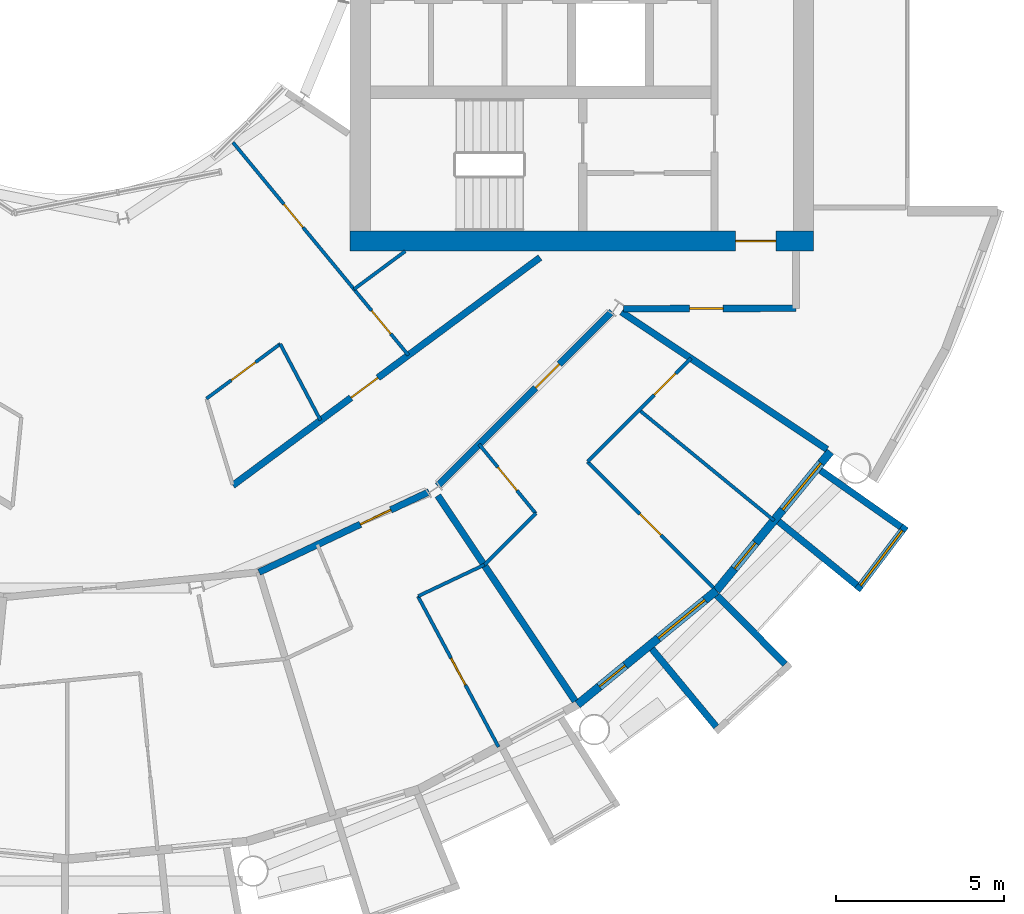
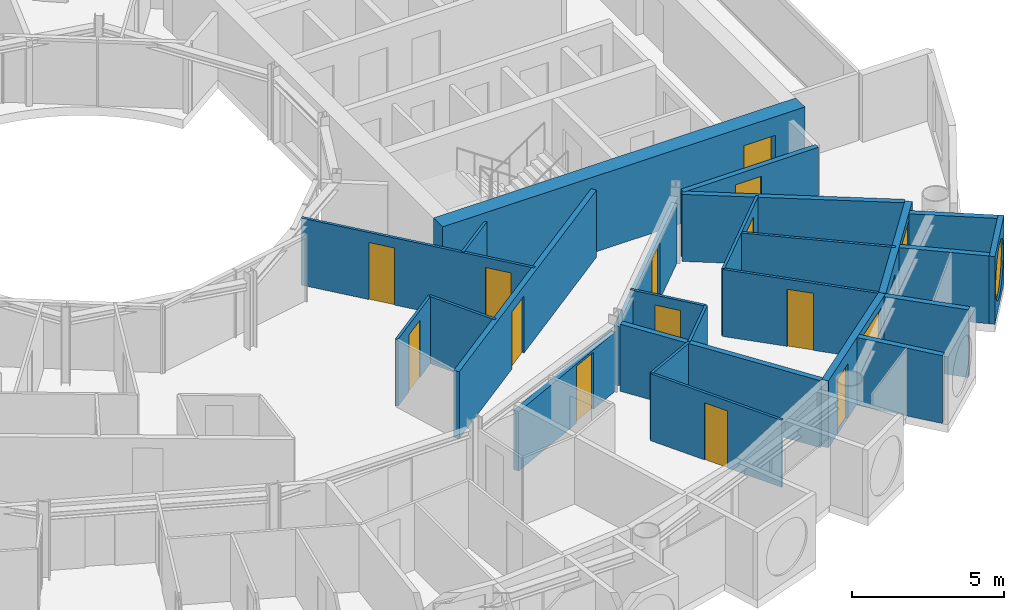
# One storey, part 17 of 27: 25 walls, 14 doors, 3 windows, 17 openings.
"""IFC4 building model written with IfcOpenShell, lengths in metres."""

from ifc_helpers import new_model, si_unit, direction, frame, frame_2d, origin, place, context, subcontext, project, spatial, rectangle, circle, extrude, material, layer, layer_set, type_object, element, fill, save


model = new_model("IFC4")

# Units and contexts
model_context = context("Model", 3, precision=1e-05, world=origin(), true_north=direction((0.0, 1.0)))
body_context = subcontext(model_context, "Body", "Model", "MODEL_VIEW")
ifc_project = project(units=[si_unit("LENGTHUNIT", "METRE"), si_unit("AREAUNIT", "SQUARE_METRE"), si_unit("VOLUMEUNIT", "CUBIC_METRE"), si_unit("PLANEANGLEUNIT", "RADIAN"), si_unit("MASSUNIT", "GRAM", prefix="KILO")], contexts=[model_context])

# Site, building, storey
site_placement = place(None, origin())
site = spatial("IfcSite", under=ifc_project, at=site_placement, CompositionType="ELEMENT")
building_placement = place(site_placement, origin())
building = spatial("IfcBuilding", under=site, at=building_placement, Name="Maasbend Ring Residences", CompositionType="ELEMENT")
storey_placement = place(building_placement, frame((0.0, 0.0, 120.800048828125)))
storey = spatial("IfcBuildingStorey", under=building, at=storey_placement, Name="L34", CompositionType="ELEMENT", Elevation=120.800048828125)

# Wall, opening, door
ifc_material_1 = material(Name="Concrete C60/75", Category="concrete")
ifc_layer_1 = layer(ifc_material_1, 0.60009765625)
ifc_layer_set_1 = layer_set([ifc_layer_1], Name="Concrete C60/75")
wall_type_1 = type_object("IfcWallType", Name="CORE WALL 600 C60/75", PredefinedType="SHEAR", material=ifc_layer_set_1)
wall_1_placement = place(storey_placement, frame((8.39990234375, -8.89990234375, 0.0), z_axis=(0.0, 0.0, 1.0), x_axis=(1.0, 0.0, 0.0)))
wall_1 = element("IfcWall", 1, at=wall_1_placement, inside=storey, type_object=wall_type_1, Name="L34 core E wall PS", PredefinedType="SHEAR", context=body_context, shape_type="SweptSolid", body=[
    extrude(rectangle(XDim=13.800048828125, YDim=0.60009765625, at=frame_2d((6.89990234375, 0.0))), origin(), (0.0, 0.0, 1.0), 3.050048828125),
])
opening_1_placement = place(wall_1_placement, frame((11.47509765625, 0.0, 0.0)))
opening_1 = element("IfcOpeningElement", 2, at=opening_1_placement, cuts=wall_1, Name="Opening D-E3416", PredefinedType="OPENING", context=body_context, shape_type="SweptSolid", body=[
    extrude(rectangle(XDim=1.199951171875, YDim=2.300048828125, at=frame_2d((0.60009765625, 1.14990234375))), frame((0.0, 0.31005859375, 0.0), z_axis=(0.0, -1.0, 0.0), x_axis=(1.0, 0.0, 0.0)), (0.0, 0.0, 1.0), 0.6201171875),
])
ifc_material_2 = material(Name="Steel, powder coated", Category="steel")
door_type_1 = type_object("IfcDoorType", Name="CORRIDOR DOOR 1200 X 2300 FD30S", OperationType="NOTDEFINED", PredefinedType="DOOR", material=ifc_material_2)
door_1_placement = place(opening_1_placement, origin())
door_1 = element("IfcDoor", 3, at=door_1_placement, inside=storey, type_object=door_type_1, Name="Corridor door L34", OperationType="SINGLE_SWING_LEFT", OverallHeight=2.300048828125, OverallWidth=1.199951171875, PredefinedType="DOOR", context=body_context, shape_type="SweptSolid", body=[
    extrude(rectangle(XDim=1.199951171875, YDim=2.300048828125, at=frame_2d((0.60009765625, 1.14990234375))), frame((0.0, 0.02490234375, 0.0), z_axis=(0.0, -1.0, 0.0), x_axis=(1.0, 0.0, 0.0)), (0.0, 0.0, 1.0), 0.050048828125),
])
fill(opening_1, door_1)

ifc_material_3 = material(Name="Concrete C30/37", Category="concrete")
ifc_layer_2 = layer(ifc_material_3, 0.199951171875)
ifc_layer_set_2 = layer_set([ifc_layer_2], Name="Concrete C30/37")
wall_type_2 = type_object("IfcWallType", Name="CORRIDOR WALL 200 CONCRETE", PredefinedType="PARTITIONING", material=ifc_layer_set_2)
wall_2_placement = place(storey_placement, frame((5.68603515625, -18.758056640625, 0.0), z_axis=(0.0, 0.0, 1.0), x_axis=(0.903961383505, 0.427614098379, 0.0)))
wall_2 = element("IfcWall", 4, at=wall_2_placement, inside=storey, type_object=wall_type_2, Name="U-L34-w014", PredefinedType="PARTITIONING", context=body_context, shape_type="SweptSolid", body=[
    extrude(rectangle(XDim=5.600830078125, YDim=0.199951171875, at=frame_2d((2.80029296875, 0.0))), origin(), (0.0, 0.0, 1.0), 2.389892578125),
])
opening_2_placement = place(wall_2_placement, frame((3.339111328125, 0.0, 0.0)))
opening_2 = element("IfcOpeningElement", 5, at=opening_2_placement, cuts=wall_2, Name="Opening D-3446", PredefinedType="OPENING", context=body_context, shape_type="SweptSolid", body=[
    extrude(rectangle(XDim=1.0, YDim=2.300048828125, at=frame_2d((0.5, 1.14990234375))), frame((0.0, 0.10986328125, 0.0), z_axis=(0.0, -1.0, 0.0), x_axis=(1.0, 0.0, 0.0)), (0.0, 0.0, 1.0), 0.219970703125),
])
ifc_material_4 = material(Name="Timber, fire-rated, painted", Category="wood")
door_type_2 = type_object("IfcDoorType", Name="FLAT ENTRANCE DOOR 1000 X 2300 FIRE-RATED", OperationType="NOTDEFINED", PredefinedType="DOOR", material=ifc_material_4)
door_2_placement = place(opening_2_placement, origin())
door_2 = element("IfcDoor", 6, at=door_2_placement, inside=storey, type_object=door_type_2, Name="D-3446", OperationType="SINGLE_SWING_RIGHT", OverallHeight=2.300048828125, OverallWidth=1.0, PredefinedType="DOOR", context=body_context, shape_type="SweptSolid", body=[
    extrude(rectangle(XDim=1.0, YDim=2.300048828125, at=frame_2d((0.5, 1.14990234375))), frame((0.0, 0.02490234375, 0.0), z_axis=(0.0, -1.0, 0.0), x_axis=(1.0, 0.0, 0.0)), (0.0, 0.0, 1.0), 0.050048828125),
])
fill(opening_2, door_2)

wall_3_placement = place(storey_placement, frame((11.0, -16.18603515625, 0.0), z_axis=(0.0, 0.0, 1.0), x_axis=(0.707106781187, 0.707106781187, 0.0)))
wall_3 = element("IfcWall", 7, at=wall_3_placement, inside=storey, type_object=wall_type_2, Name="U-L34-w016", PredefinedType="PARTITIONING", context=body_context, shape_type="SweptSolid", body=[
    extrude(rectangle(XDim=7.334228515625, YDim=0.199951171875, at=frame_2d((3.6669921875, 0.0))), origin(), (0.0, 0.0, 1.0), 2.389892578125),
])
opening_3_placement = place(wall_3_placement, frame((4.123046875, 0.0, 0.0)))
opening_3 = element("IfcOpeningElement", 8, at=opening_3_placement, cuts=wall_3, Name="Opening D-3449", PredefinedType="OPENING", context=body_context, shape_type="SweptSolid", body=[
    extrude(rectangle(XDim=1.0, YDim=2.300048828125, at=frame_2d((0.5, 1.14990234375))), frame((0.0, 0.10986328125, 0.0), z_axis=(0.0, -1.0, 0.0), x_axis=(1.0, 0.0, 0.0)), (0.0, 0.0, 1.0), 0.219970703125),
])
door_3_placement = place(opening_3_placement, origin())
door_3 = element("IfcDoor", 9, at=door_3_placement, inside=storey, type_object=door_type_2, Name="D-3449", OperationType="SINGLE_SWING_RIGHT", OverallHeight=2.300048828125, OverallWidth=1.0, PredefinedType="DOOR", context=body_context, shape_type="SweptSolid", body=[
    extrude(rectangle(XDim=1.0, YDim=2.300048828125, at=frame_2d((0.5, 1.14990234375))), frame((0.0, 0.02490234375, 0.0), z_axis=(0.0, -1.0, 0.0), x_axis=(1.0, 0.0, 0.0)), (0.0, 0.0, 1.0), 0.050048828125),
])
fill(opening_3, door_3)

wall_4_placement = place(storey_placement, frame((4.906005859375, -16.172119140625, 0.0), z_axis=(0.0, 0.0, 1.0), x_axis=(0.803204584823, 0.59570327758, 0.0)))
wall_4 = element("IfcWall", 10, at=wall_4_placement, inside=storey, type_object=wall_type_2, Name="U-L34-w018", PredefinedType="PARTITIONING", context=body_context, shape_type="SweptSolid", body=[
    extrude(rectangle(XDim=11.386962890625, YDim=0.199951171875, at=frame_2d((5.693359375, 0.0))), origin(), (0.0, 0.0, 1.0), 2.699951171875),
])
opening_4_placement = place(wall_4_placement, frame((4.3798828125, 0.0, 0.0)))
opening_4 = element("IfcOpeningElement", 11, at=opening_4_placement, cuts=wall_4, Name="Opening D-3458", PredefinedType="OPENING", context=body_context, shape_type="SweptSolid", body=[
    extrude(rectangle(XDim=1.0, YDim=2.300048828125, at=frame_2d((0.5, 1.14990234375))), frame((0.0, 0.10986328125, 0.0), z_axis=(0.0, -1.0, 0.0), x_axis=(1.0, 0.0, 0.0)), (0.0, 0.0, 1.0), 0.219970703125),
])
door_4_placement = place(opening_4_placement, origin())
door_4 = element("IfcDoor", 12, at=door_4_placement, inside=storey, type_object=door_type_2, Name="D-3458", OperationType="SINGLE_SWING_LEFT", OverallHeight=2.300048828125, OverallWidth=1.0, PredefinedType="DOOR", context=body_context, shape_type="SweptSolid", body=[
    extrude(rectangle(XDim=1.0, YDim=2.300048828125, at=frame_2d((0.5, 1.14990234375))), frame((0.0, 0.02490234375, 0.0), z_axis=(0.0, -1.0, 0.0), x_axis=(1.0, 0.0, 0.0)), (0.0, 0.0, 1.0), 0.050048828125),
])
fill(opening_4, door_4)

wall_5_placement = place(storey_placement, frame((16.541015625, -10.912109375, 0.0), z_axis=(0.0, 0.0, 1.0), x_axis=(0.999997173357, 0.002377662213, 0.0)))
wall_5 = element("IfcWall", 13, at=wall_5_placement, inside=storey, type_object=wall_type_2, Name="U-L34-w025", PredefinedType="PARTITIONING", context=body_context, shape_type="SweptSolid", body=[
    extrude(rectangle(XDim=5.134033203125, YDim=0.199951171875, at=frame_2d((2.56689453125, 0.0))), origin(), (0.0, 0.0, 1.0), 2.699951171875),
])
opening_5_placement = place(wall_5_placement, frame((1.962890625, 0.0, 0.0)))
opening_5 = element("IfcOpeningElement", 14, at=opening_5_placement, cuts=wall_5, Name="Opening D-3464", PredefinedType="OPENING", context=body_context, shape_type="SweptSolid", body=[
    extrude(rectangle(XDim=1.0, YDim=2.300048828125, at=frame_2d((0.5, 1.14990234375))), frame((0.0, 0.10986328125, 0.0), z_axis=(0.0, -1.0, 0.0), x_axis=(1.0, 0.0, 0.0)), (0.0, 0.0, 1.0), 0.219970703125),
])
ifc_material_5 = material(Name="Timber, painted", Category="wood")
door_type_3 = type_object("IfcDoorType", Name="ROOM DOOR 1000 X 2300", OperationType="NOTDEFINED", PredefinedType="DOOR", material=ifc_material_5)
door_5_placement = place(opening_5_placement, origin())
door_5 = element("IfcDoor", 15, at=door_5_placement, inside=storey, type_object=door_type_3, Name="D-3464", OperationType="SINGLE_SWING_LEFT", OverallHeight=2.300048828125, OverallWidth=1.0, PredefinedType="DOOR", context=body_context, shape_type="SweptSolid", body=[
    extrude(rectangle(XDim=1.0, YDim=2.300048828125, at=frame_2d((0.5, 1.14990234375))), frame((0.0, 0.02490234375, 0.0), z_axis=(0.0, -1.0, 0.0), x_axis=(1.0, 0.0, 0.0)), (0.0, 0.0, 1.0), 0.050048828125),
])
fill(opening_5, door_5)

# Walls
ifc_material_6 = material(Name="Pale anodised aluminium panel", Category="aluminium")
ifc_layer_3 = layer(ifc_material_6, 0.199951171875)
ifc_layer_set_3 = layer_set([ifc_layer_3], Name="EW-BOX")
wall_type_3 = type_object("IfcWallType", Name="EW-BOX", PredefinedType="SOLIDWALL", material=ifc_layer_set_3)
wall_6_placement = place(storey_placement, frame((17.384033203125, -21.041015625, -0.030029296875), z_axis=(0.0, 0.0, 1.0), x_axis=(0.63709551667, -0.770784861449, 0.0)))
element("IfcWall", 16, at=wall_6_placement, inside=storey, type_object=wall_type_3, Name="Box side wall S18 left", PredefinedType="SOLIDWALL", context=body_context, shape_type="SweptSolid", body=[
    extrude(rectangle(XDim=3.005859375, YDim=0.199951171875, at=frame_2d((1.5029296875, 0.0))), origin(), (0.0, 0.0, 1.0), 2.72998046875),
])
wall_7_placement = place(storey_placement, frame((19.322998046875, -19.449951171875, -0.030029296875), z_axis=(0.0, 0.0, 1.0), x_axis=(0.704476739375, -0.709727076896, 0.0)))
element("IfcWall", 17, at=wall_7_placement, inside=storey, type_object=wall_type_3, Name="Box side wall S18 right", PredefinedType="SOLIDWALL", context=body_context, shape_type="SweptSolid", body=[
    extrude(rectangle(XDim=2.883056640625, YDim=0.199951171875, at=frame_2d((1.44140625, 0.0))), origin(), (0.0, 0.0, 1.0), 2.72998046875),
])

# Wall, opening, window
wall_8_placement = place(storey_placement, frame((23.4970703125, -19.2890625, -0.030029296875), z_axis=(0.0, 0.0, 1.0), x_axis=(0.603375996329, 0.797456837111, 0.0)))
wall_8 = element("IfcWall", 18, at=wall_8_placement, inside=storey, type_object=wall_type_3, Name="Box front S20", PredefinedType="SOLIDWALL", context=body_context, shape_type="SweptSolid", body=[
    extrude(rectangle(XDim=2.391357421875, YDim=0.199951171875, at=frame_2d((1.19580078125, 0.0))), origin(), (0.0, 0.0, 1.0), 2.72998046875),
])
opening_6_placement = place(wall_8_placement, frame((0.15576171875, 0.0, 0.330078125)))
opening_6 = element("IfcOpeningElement", 19, at=opening_6_placement, cuts=wall_8, Name="Opening W-RD", PredefinedType="OPENING", context=body_context, shape_type="SweptSolid", body=[
    extrude(circle(Radius=1.0400390625, at=frame_2d((1.0400390625, 1.0400390625))), frame((0.0, 0.10986328125, 0.0), z_axis=(0.0, -1.0, 0.0), x_axis=(1.0, 0.0, 0.0)), (0.0, 0.0, 1.0), 0.219970703125),
])
ifc_material_7 = material(Name="Aluminium and clear glass", Category="aluminium")
window_type_1 = type_object("IfcWindowType", Name="W-RD", PartitioningType="SINGLE_PANEL", PredefinedType="WINDOW", material=ifc_material_7)
window_1_placement = place(opening_6_placement, origin())
window_1 = element("IfcWindow", 20, at=window_1_placement, inside=storey, type_object=window_type_1, Name="Round window S20", OverallHeight=2.080078125, OverallWidth=2.080078125, PartitioningType="SINGLE_PANEL", PredefinedType="WINDOW", context=body_context, shape_type="SweptSolid", body=[
    extrude(circle(Radius=1.0400390625, at=frame_2d((1.0400390625, 1.0400390625))), frame((0.0, 0.030029296875, 0.0), z_axis=(0.0, -1.0, 0.0), x_axis=(1.0, 0.0, 0.0)), (0.0, 0.0, 1.0), 0.06005859375),
])
fill(opening_6, window_1)

# Walls
wall_9_placement = place(storey_placement, frame((21.155029296875, -17.24609375, -0.030029296875), z_axis=(0.0, 0.0, 1.0), x_axis=(0.775179004516, -0.631741648902, 0.0)))
element("IfcWall", 21, at=wall_9_placement, inside=storey, type_object=wall_type_3, Name="Box side wall S20 left", PredefinedType="SOLIDWALL", context=body_context, shape_type="SweptSolid", body=[
    extrude(rectangle(XDim=3.005859375, YDim=0.199951171875, at=frame_2d((1.5029296875, 0.0))), origin(), (0.0, 0.0, 1.0), 2.72998046875),
])
wall_10_placement = place(storey_placement, frame((22.402099609375, -15.72607421875, -0.030029296875), z_axis=(0.0, 0.0, 1.0), x_axis=(0.818275399393, -0.574826383135, 0.0)))
element("IfcWall", 22, at=wall_10_placement, inside=storey, type_object=wall_type_3, Name="Box side wall S20 right", PredefinedType="SOLIDWALL", context=body_context, shape_type="SweptSolid", body=[
    extrude(rectangle(XDim=2.92919921875, YDim=0.199951171875, at=frame_2d((1.464599609375, 0.0))), origin(), (0.0, 0.0, 1.0), 2.72998046875),
])

# Wall, openings, door, window
ifc_material_8 = material(Name="Aluminium clad insulated panel", Category="aluminium")
ifc_layer_4 = layer(ifc_material_8, 0.25)
ifc_layer_set_4 = layer_set([ifc_layer_4], Name="EW-GL")
wall_type_4 = type_object("IfcWallType", Name="EW-GL", PredefinedType="SOLIDWALL", material=ifc_layer_set_4)
wall_11_placement = place(storey_placement, frame((15.1669921875, -22.698974609375, 0.0), z_axis=(0.0, 0.0, 1.0), x_axis=(0.773019449054, 0.634382322723, 0.0)))
wall_11 = element("IfcWall", 23, at=wall_11_placement, inside=storey, type_object=wall_type_4, Name="External wall S09", PredefinedType="SOLIDWALL", context=body_context, shape_type="SweptSolid", body=[
    extrude(rectangle(XDim=5.351806640625, YDim=0.25, at=frame_2d((2.67578125, 0.0))), origin(), (0.0, 0.0, 1.0), 2.699951171875),
])
opening_7_placement = place(wall_11_placement, frame((0.841064453125, 0.0, 0.0)))
opening_7 = element("IfcOpeningElement", 24, at=opening_7_placement, cuts=wall_11, Name="Opening D-LG", PredefinedType="OPENING", context=body_context, shape_type="SweptSolid", body=[
    extrude(rectangle(XDim=1.0, YDim=2.199951171875, at=frame_2d((0.5, 1.10009765625))), frame((0.0, 0.135009765625, 0.0), z_axis=(0.0, -1.0, 0.0), x_axis=(1.0, 0.0, 0.0)), (0.0, 0.0, 1.0), 0.27001953125),
])
opening_8_placement = place(wall_11_placement, frame((3.110595703125, 0.0, 0.300048828125)))
opening_8 = element("IfcOpeningElement", 25, at=opening_8_placement, cuts=wall_11, Name="Opening W-BX", PredefinedType="OPENING", context=body_context, shape_type="SweptSolid", body=[
    extrude(rectangle(XDim=1.800048828125, YDim=2.10009765625, at=frame_2d((0.89990234375, 1.050048828125))), frame((0.0, 0.135009765625, 0.0), z_axis=(0.0, -1.0, 0.0), x_axis=(1.0, 0.0, 0.0)), (0.0, 0.0, 1.0), 0.27001953125),
])
ifc_material_9 = material(Name="Aluminium and clear glass", Category="aluminium")
door_type_4 = type_object("IfcDoorType", Name="D-LG", OperationType="SINGLE_SWING_LEFT", PredefinedType="DOOR", material=ifc_material_9)
door_6_placement = place(opening_7_placement, origin())
door_6 = element("IfcDoor", 26, at=door_6_placement, inside=storey, type_object=door_type_4, Name="Loggia door S17", OperationType="SINGLE_SWING_LEFT", OverallHeight=2.199951171875, OverallWidth=1.0, PredefinedType="DOOR", context=body_context, shape_type="SweptSolid", body=[
    extrude(rectangle(XDim=1.0, YDim=2.199951171875, at=frame_2d((0.5, 1.10009765625))), frame((0.0, 0.02490234375, 0.0), z_axis=(0.0, -1.0, 0.0), x_axis=(1.0, 0.0, 0.0)), (0.0, 0.0, 1.0), 0.050048828125),
])
fill(opening_7, door_6)
ifc_material_10 = material(Name="Aluminium and clear glass", Category="aluminium")
window_type_2 = type_object("IfcWindowType", Name="W-BX", PartitioningType="DOUBLE_PANEL_VERTICAL", PredefinedType="WINDOW", material=ifc_material_10)
window_2_placement = place(opening_8_placement, origin())
window_2 = element("IfcWindow", 27, at=window_2_placement, inside=storey, type_object=window_type_2, Name="Window S18 room to box", OverallHeight=2.10009765625, OverallWidth=1.800048828125, PartitioningType="SINGLE_PANEL", PredefinedType="WINDOW", context=body_context, shape_type="SweptSolid", body=[
    extrude(rectangle(XDim=1.800048828125, YDim=2.10009765625, at=frame_2d((0.89990234375, 1.050048828125))), frame((0.0, 0.030029296875, 0.0), z_axis=(0.0, -1.0, 0.0), x_axis=(1.0, 0.0, 0.0)), (0.0, 0.0, 1.0), 0.06005859375),
])
fill(opening_8, window_2)

wall_12_placement = place(storey_placement, frame((19.303955078125, -19.303955078125, 0.0), z_axis=(0.0, 0.0, 1.0), x_axis=(0.634382322723, 0.773019449054, 0.0)))
wall_12 = element("IfcWall", 28, at=wall_12_placement, inside=storey, type_object=wall_type_4, Name="External wall S10", PredefinedType="SOLIDWALL", context=body_context, shape_type="SweptSolid", body=[
    extrude(rectangle(XDim=5.351806640625, YDim=0.25, at=frame_2d((2.67578125, 0.0))), origin(), (0.0, 0.0, 1.0), 2.699951171875),
])
opening_9_placement = place(wall_12_placement, frame((0.841064453125, 0.0, 0.0)))
opening_9 = element("IfcOpeningElement", 29, at=opening_9_placement, cuts=wall_12, Name="Opening D-LG", PredefinedType="OPENING", context=body_context, shape_type="SweptSolid", body=[
    extrude(rectangle(XDim=1.0, YDim=2.199951171875, at=frame_2d((0.5, 1.10009765625))), frame((0.0, 0.135009765625, 0.0), z_axis=(0.0, -1.0, 0.0), x_axis=(1.0, 0.0, 0.0)), (0.0, 0.0, 1.0), 0.27001953125),
])
opening_10_placement = place(wall_12_placement, frame((3.110595703125, 0.0, 0.300048828125)))
opening_10 = element("IfcOpeningElement", 30, at=opening_10_placement, cuts=wall_12, Name="Opening W-BX", PredefinedType="OPENING", context=body_context, shape_type="SweptSolid", body=[
    extrude(rectangle(XDim=1.800048828125, YDim=2.10009765625, at=frame_2d((0.89990234375, 1.050048828125))), frame((0.0, 0.135009765625, 0.0), z_axis=(0.0, -1.0, 0.0), x_axis=(1.0, 0.0, 0.0)), (0.0, 0.0, 1.0), 0.27001953125),
])
door_7_placement = place(opening_9_placement, origin())
door_7 = element("IfcDoor", 31, at=door_7_placement, inside=storey, type_object=door_type_4, Name="Loggia door S19", OperationType="SINGLE_SWING_LEFT", OverallHeight=2.199951171875, OverallWidth=1.0, PredefinedType="DOOR", context=body_context, shape_type="SweptSolid", body=[
    extrude(rectangle(XDim=1.0, YDim=2.199951171875, at=frame_2d((0.5, 1.10009765625))), frame((0.0, 0.02490234375, 0.0), z_axis=(0.0, -1.0, 0.0), x_axis=(1.0, 0.0, 0.0)), (0.0, 0.0, 1.0), 0.050048828125),
])
fill(opening_9, door_7)
window_3_placement = place(opening_10_placement, origin())
window_3 = element("IfcWindow", 32, at=window_3_placement, inside=storey, type_object=window_type_2, Name="Window S20 room to box", OverallHeight=2.10009765625, OverallWidth=1.800048828125, PartitioningType="SINGLE_PANEL", PredefinedType="WINDOW", context=body_context, shape_type="SweptSolid", body=[
    extrude(rectangle(XDim=1.800048828125, YDim=2.10009765625, at=frame_2d((0.89990234375, 1.050048828125))), frame((0.0, 0.030029296875, 0.0), z_axis=(0.0, -1.0, 0.0), x_axis=(1.0, 0.0, 0.0)), (0.0, 0.0, 1.0), 0.06005859375),
])
fill(opening_10, window_3)

# Walls
ifc_material_11 = material(Name="Gypsum board on steel studs", Category="steel")
ifc_layer_5 = layer(ifc_material_11, 0.10009765625)
ifc_layer_set_5 = layer_set([ifc_layer_5], Name="PARTITION 100 GYPSUM")
wall_type_5 = type_object("IfcWallType", Name="PARTITION 100 GYPSUM", PredefinedType="PARTITIONING", material=ifc_layer_set_5)
wall_13_placement = place(storey_placement, frame((10.425048828125, -19.469970703125, 0.0), z_axis=(0.0, 0.0, 1.0), x_axis=(0.903951937529, 0.427634066274, 0.0)))
element("IfcWall", 33, at=wall_13_placement, inside=storey, type_object=wall_type_5, Name="U-L34-w004", PredefinedType="PARTITIONING", context=body_context, shape_type="SweptSolid", body=[
    extrude(rectangle(XDim=2.181396484375, YDim=0.10009765625, at=frame_2d((1.0908203125, 0.0))), origin(), (0.0, 0.0, 1.0), 2.699951171875),
])
wall_14_placement = place(storey_placement, frame((12.388916015625, -18.5419921875, 0.0), z_axis=(0.0, 0.0, 1.0), x_axis=(0.707106781187, 0.707106781187, 0.0)))
element("IfcWall", 34, at=wall_14_placement, inside=storey, type_object=wall_type_5, Name="U-L34-w007", PredefinedType="PARTITIONING", context=body_context, shape_type="SweptSolid", body=[
    extrude(rectangle(XDim=2.17529296875, YDim=0.10009765625, at=frame_2d((1.087646484375, 0.0))), origin(), (0.0, 0.0, 1.0), 2.699951171875),
])

# Wall, opening, door
wall_15_placement = place(storey_placement, frame((15.468017578125, -15.462890625, 0.0), z_axis=(0.0, 0.0, 1.0), x_axis=(0.707106781187, 0.707106781187, 0.0)))
wall_15 = element("IfcWall", 35, at=wall_15_placement, inside=storey, type_object=wall_type_5, Name="U-L34-w008", PredefinedType="PARTITIONING", context=body_context, shape_type="SweptSolid", body=[
    extrude(rectangle(XDim=4.351318359375, YDim=0.10009765625, at=frame_2d((2.17578125, 0.0))), origin(), (0.0, 0.0, 1.0), 2.699951171875),
])
opening_11_placement = place(wall_15_placement, frame((2.80810546875, 0.0, 0.0)))
opening_11 = element("IfcOpeningElement", 36, at=opening_11_placement, cuts=wall_15, Name="Opening D-3452", PredefinedType="OPENING", context=body_context, shape_type="SweptSolid", body=[
    extrude(rectangle(XDim=0.89990234375, YDim=2.300048828125, at=frame_2d((0.449951171875, 1.14990234375))), frame((0.0, 0.06005859375, 0.0), z_axis=(0.0, -1.0, 0.0), x_axis=(1.0, 0.0, 0.0)), (0.0, 0.0, 1.0), 0.1201171875),
])
ifc_material_12 = material(Name="Timber, painted", Category="wood")
door_type_5 = type_object("IfcDoorType", Name="INTERNAL DOOR 900 X 2300", OperationType="NOTDEFINED", PredefinedType="DOOR", material=ifc_material_12)
door_8_placement = place(opening_11_placement, origin())
door_8 = element("IfcDoor", 37, at=door_8_placement, inside=storey, type_object=door_type_5, Name="D-3452", OperationType="SINGLE_SWING_RIGHT", OverallHeight=2.300048828125, OverallWidth=0.89990234375, PredefinedType="DOOR", context=body_context, shape_type="SweptSolid", body=[
    extrude(rectangle(XDim=0.89990234375, YDim=2.300048828125, at=frame_2d((0.449951171875, 1.14990234375))), frame((0.0, 0.02490234375, 0.0), z_axis=(0.0, -1.0, 0.0), x_axis=(1.0, 0.0, 0.0)), (0.0, 0.0, 1.0), 0.050048828125),
])
fill(opening_11, door_8)

wall_16_placement = place(storey_placement, frame((4.1220703125, -13.589111328125, 0.0), z_axis=(0.0, 0.0, 1.0), x_axis=(0.803128348509, 0.595806055542, 0.0)))
wall_16 = element("IfcWall", 38, at=wall_16_placement, inside=storey, type_object=wall_type_5, Name="U-L34-w020", PredefinedType="PARTITIONING", context=body_context, shape_type="SweptSolid", body=[
    extrude(rectangle(XDim=2.734375, YDim=0.10009765625, at=frame_2d((1.3671875, 0.0))), origin(), (0.0, 0.0, 1.0), 2.699951171875),
])
opening_12_placement = place(wall_16_placement, frame((0.9169921875, 0.0, 0.0)))
opening_12 = element("IfcOpeningElement", 39, at=opening_12_placement, cuts=wall_16, Name="Opening D-3459", PredefinedType="OPENING", context=body_context, shape_type="SweptSolid", body=[
    extrude(rectangle(XDim=0.89990234375, YDim=2.300048828125, at=frame_2d((0.449951171875, 1.14990234375))), frame((0.0, 0.06005859375, 0.0), z_axis=(0.0, -1.0, 0.0), x_axis=(1.0, 0.0, 0.0)), (0.0, 0.0, 1.0), 0.1201171875),
])
door_9_placement = place(opening_12_placement, origin())
door_9 = element("IfcDoor", 40, at=door_9_placement, inside=storey, type_object=door_type_5, Name="D-3459", OperationType="SINGLE_SWING_RIGHT", OverallHeight=2.300048828125, OverallWidth=0.89990234375, PredefinedType="DOOR", context=body_context, shape_type="SweptSolid", body=[
    extrude(rectangle(XDim=0.89990234375, YDim=2.300048828125, at=frame_2d((0.449951171875, 1.14990234375))), frame((0.0, 0.02490234375, 0.0), z_axis=(0.0, -1.0, 0.0), x_axis=(1.0, 0.0, 0.0)), (0.0, 0.0, 1.0), 0.050048828125),
])
fill(opening_12, door_9)

# Wall
wall_17_placement = place(storey_placement, frame((8.512939453125, -10.33203125, 0.0), z_axis=(0.0, 0.0, 1.0), x_axis=(0.803149591038, 0.595777420196, 0.0)))
element("IfcWall", 41, at=wall_17_placement, inside=storey, type_object=wall_type_5, Name="U-L34-w021", PredefinedType="PARTITIONING", context=body_context, shape_type="SweptSolid", body=[
    extrude(rectangle(XDim=1.900146484375, YDim=0.10009765625, at=frame_2d((0.9501953125, 0.0))), origin(), (0.0, 0.0, 1.0), 2.699951171875),
])

# Wall, openings, doors
wall_18_placement = place(storey_placement, frame((4.907958984375, -5.958984375, 0.0), z_axis=(0.0, 0.0, 1.0), x_axis=(0.636105207978, -0.771602335652, 0.0)))
wall_18 = element("IfcWall", 42, at=wall_18_placement, inside=storey, type_object=wall_type_5, Name="U-L34-w064", PredefinedType="PARTITIONING", context=body_context, shape_type="SweptSolid", body=[
    extrude(rectangle(XDim=8.212646484375, YDim=0.10009765625, at=frame_2d((4.1064453125, 0.0))), origin(), (0.0, 0.0, 1.0), 2.699951171875),
])
opening_13_placement = place(wall_18_placement, frame((6.489990234375, 0.0, 0.0)))
opening_13 = element("IfcOpeningElement", 43, at=opening_13_placement, cuts=wall_18, Name="Opening D-3460", PredefinedType="OPENING", context=body_context, shape_type="SweptSolid", body=[
    extrude(rectangle(XDim=0.89990234375, YDim=2.300048828125, at=frame_2d((0.449951171875, 1.14990234375))), frame((0.0, 0.06005859375, 0.0), z_axis=(0.0, -1.0, 0.0), x_axis=(1.0, 0.0, 0.0)), (0.0, 0.0, 1.0), 0.1201171875),
])
opening_14_placement = place(wall_18_placement, frame((2.384033203125, 0.0, 0.0)))
opening_14 = element("IfcOpeningElement", 44, at=opening_14_placement, cuts=wall_18, Name="Opening D-3461", PredefinedType="OPENING", context=body_context, shape_type="SweptSolid", body=[
    extrude(rectangle(XDim=0.89990234375, YDim=2.300048828125, at=frame_2d((0.449951171875, 1.14990234375))), frame((0.0, 0.06005859375, 0.0), z_axis=(0.0, -1.0, 0.0), x_axis=(1.0, 0.0, 0.0)), (0.0, 0.0, 1.0), 0.1201171875),
])
door_10_placement = place(opening_13_placement, origin())
door_10 = element("IfcDoor", 45, at=door_10_placement, inside=storey, type_object=door_type_5, Name="D-3460", OperationType="SINGLE_SWING_RIGHT", OverallHeight=2.300048828125, OverallWidth=0.89990234375, PredefinedType="DOOR", context=body_context, shape_type="SweptSolid", body=[
    extrude(rectangle(XDim=0.89990234375, YDim=2.300048828125, at=frame_2d((0.449951171875, 1.14990234375))), frame((0.0, 0.02490234375, 0.0), z_axis=(0.0, -1.0, 0.0), x_axis=(1.0, 0.0, 0.0)), (0.0, 0.0, 1.0), 0.050048828125),
])
fill(opening_13, door_10)
door_11_placement = place(opening_14_placement, origin())
door_11 = element("IfcDoor", 46, at=door_11_placement, inside=storey, type_object=door_type_5, Name="D-3461", OperationType="SINGLE_SWING_LEFT", OverallHeight=2.300048828125, OverallWidth=0.89990234375, PredefinedType="DOOR", context=body_context, shape_type="SweptSolid", body=[
    extrude(rectangle(XDim=0.89990234375, YDim=2.300048828125, at=frame_2d((0.449951171875, 1.14990234375))), frame((0.0, 0.02490234375, 0.0), z_axis=(0.0, -1.0, 0.0), x_axis=(1.0, 0.0, 0.0)), (0.0, 0.0, 1.0), 0.050048828125),
])
fill(opening_14, door_11)

# Wall
wall_19_placement = place(storey_placement, frame((6.31591796875, -11.9609375, 0.0), z_axis=(0.0, 0.0, 1.0), x_axis=(0.467037016128, -0.884237765291, 0.0)))
element("IfcWall", 47, at=wall_19_placement, inside=storey, type_object=wall_type_5, Name="U-L34-w067", PredefinedType="PARTITIONING", context=body_context, shape_type="SweptSolid", body=[
    extrude(rectangle(XDim=2.57177734375, YDim=0.10009765625, at=frame_2d((1.285888671875, 0.0))), origin(), (0.0, 0.0, 1.0), 2.699951171875),
])

# Wall, opening, door
wall_20_placement = place(storey_placement, frame((10.4169921875, -19.47412109375, 0.0), z_axis=(0.0, 0.0, 1.0), x_axis=(0.471755462896, -0.881729427448, 0.0)))
wall_20 = element("IfcWall", 48, at=wall_20_placement, inside=storey, type_object=wall_type_5, Name="U-L34-w072", PredefinedType="PARTITIONING", context=body_context, shape_type="SweptSolid", body=[
    extrude(rectangle(XDim=5.08984375, YDim=0.10009765625, at=frame_2d((2.544921875, 0.0))), origin(), (0.0, 0.0, 1.0), 2.699951171875),
])
opening_15_placement = place(wall_20_placement, frame((2.094970703125, 0.0, 0.0)))
opening_15 = element("IfcOpeningElement", 49, at=opening_15_placement, cuts=wall_20, Name="Opening D-3448", PredefinedType="OPENING", context=body_context, shape_type="SweptSolid", body=[
    extrude(rectangle(XDim=0.89990234375, YDim=2.300048828125, at=frame_2d((0.449951171875, 1.14990234375))), frame((0.0, 0.06005859375, 0.0), z_axis=(0.0, -1.0, 0.0), x_axis=(1.0, 0.0, 0.0)), (0.0, 0.0, 1.0), 0.1201171875),
])
door_12_placement = place(opening_15_placement, origin())
door_12 = element("IfcDoor", 50, at=door_12_placement, inside=storey, type_object=door_type_5, Name="D-3448", OperationType="SINGLE_SWING_LEFT", OverallHeight=2.300048828125, OverallWidth=0.89990234375, PredefinedType="DOOR", context=body_context, shape_type="SweptSolid", body=[
    extrude(rectangle(XDim=0.89990234375, YDim=2.300048828125, at=frame_2d((0.449951171875, 1.14990234375))), frame((0.0, 0.02490234375, 0.0), z_axis=(0.0, -1.0, 0.0), x_axis=(1.0, 0.0, 0.0)), (0.0, 0.0, 1.0), 0.050048828125),
])
fill(opening_15, door_12)

wall_21_placement = place(storey_placement, frame((12.237060546875, -14.947998046875, 0.0), z_axis=(0.0, 0.0, 1.0), x_axis=(0.633537478353, -0.773712002958, 0.0)))
wall_21 = element("IfcWall", 51, at=wall_21_placement, inside=storey, type_object=wall_type_5, Name="U-L34-w075", PredefinedType="PARTITIONING", context=body_context, shape_type="SweptSolid", body=[
    extrude(rectangle(XDim=2.661376953125, YDim=0.10009765625, at=frame_2d((1.33056640625, 0.0))), origin(), (0.0, 0.0, 1.0), 2.699951171875),
])
opening_16_placement = place(wall_21_placement, frame((0.881103515625, 0.0, 0.0)))
opening_16 = element("IfcOpeningElement", 52, at=opening_16_placement, cuts=wall_21, Name="Opening D-3450", PredefinedType="OPENING", context=body_context, shape_type="SweptSolid", body=[
    extrude(rectangle(XDim=0.89990234375, YDim=2.300048828125, at=frame_2d((0.449951171875, 1.14990234375))), frame((0.0, 0.06005859375, 0.0), z_axis=(0.0, -1.0, 0.0), x_axis=(1.0, 0.0, 0.0)), (0.0, 0.0, 1.0), 0.1201171875),
])
door_13_placement = place(opening_16_placement, origin())
door_13 = element("IfcDoor", 53, at=door_13_placement, inside=storey, type_object=door_type_5, Name="D-3450", OperationType="SINGLE_SWING_RIGHT", OverallHeight=2.300048828125, OverallWidth=0.89990234375, PredefinedType="DOOR", context=body_context, shape_type="SweptSolid", body=[
    extrude(rectangle(XDim=0.89990234375, YDim=2.300048828125, at=frame_2d((0.449951171875, 1.14990234375))), frame((0.0, 0.02490234375, 0.0), z_axis=(0.0, -1.0, 0.0), x_axis=(1.0, 0.0, 0.0)), (0.0, 0.0, 1.0), 0.050048828125),
])
fill(opening_16, door_13)

wall_22_placement = place(storey_placement, frame((15.465087890625, -15.465087890625, 0.0), z_axis=(0.0, 0.0, 1.0), x_axis=(0.707106781187, -0.707106781187, 0.0)))
wall_22 = element("IfcWall", 54, at=wall_22_placement, inside=storey, type_object=wall_type_5, Name="U-L34-w078", PredefinedType="PARTITIONING", context=body_context, shape_type="SweptSolid", body=[
    extrude(rectangle(XDim=5.3046875, YDim=0.10009765625, at=frame_2d((2.65234375, 0.0))), origin(), (0.0, 0.0, 1.0), 2.699951171875),
])
opening_17_placement = place(wall_22_placement, frame((2.201904296875, 0.0, 0.0)))
opening_17 = element("IfcOpeningElement", 55, at=opening_17_placement, cuts=wall_22, Name="Opening D-3451", PredefinedType="OPENING", context=body_context, shape_type="SweptSolid", body=[
    extrude(rectangle(XDim=0.89990234375, YDim=2.300048828125, at=frame_2d((0.449951171875, 1.14990234375))), frame((0.0, 0.06005859375, 0.0), z_axis=(0.0, -1.0, 0.0), x_axis=(1.0, 0.0, 0.0)), (0.0, 0.0, 1.0), 0.1201171875),
])
door_14_placement = place(opening_17_placement, origin())
door_14 = element("IfcDoor", 56, at=door_14_placement, inside=storey, type_object=door_type_5, Name="D-3451", OperationType="SINGLE_SWING_RIGHT", OverallHeight=2.300048828125, OverallWidth=0.89990234375, PredefinedType="DOOR", context=body_context, shape_type="SweptSolid", body=[
    extrude(rectangle(XDim=0.89990234375, YDim=2.300048828125, at=frame_2d((0.449951171875, 1.14990234375))), frame((0.0, 0.02490234375, 0.0), z_axis=(0.0, -1.0, 0.0), x_axis=(1.0, 0.0, 0.0)), (0.0, 0.0, 1.0), 0.050048828125),
])
fill(opening_17, door_14)

# Walls
wall_23_placement = place(storey_placement, frame((17.00390625, -13.927001953125, 0.0), z_axis=(0.0, 0.0, 1.0), x_axis=(0.773517471898, -0.633774976367, 0.0)))
element("IfcWall", 57, at=wall_23_placement, inside=storey, type_object=wall_type_5, Name="U-L34-w082", PredefinedType="PARTITIONING", context=body_context, shape_type="SweptSolid", body=[
    extrude(rectangle(XDim=5.19580078125, YDim=0.10009765625, at=frame_2d((2.597900390625, 0.0))), origin(), (0.0, 0.0, 1.0), 2.699951171875),
])
ifc_material_13 = material(Name="Concrete C30/37", Category="concrete")
ifc_layer_6 = layer(ifc_material_13, 0.199951171875)
ifc_layer_set_6 = layer_set([ifc_layer_6], Name="Concrete C30/37")
wall_type_6 = type_object("IfcWallType", Name="PARTY WALL 200 CONCRETE", PredefinedType="PARTITIONING", material=ifc_layer_set_6)
wall_24_placement = place(storey_placement, frame((11.009033203125, -16.47705078125, 0.0), z_axis=(0.0, 0.0, 1.0), x_axis=(0.555664536482, -0.831406593008, 0.0)))
element("IfcWall", 58, at=wall_24_placement, inside=storey, type_object=wall_type_6, Name="U-L34-w073", PredefinedType="PARTITIONING", context=body_context, shape_type="SweptSolid", body=[
    extrude(rectangle(XDim=7.3583984375, YDim=0.199951171875, at=frame_2d((3.67919921875, 0.0))), origin(), (0.0, 0.0, 1.0), 2.699951171875),
])
wall_25_placement = place(storey_placement, frame((16.47705078125, -11.009033203125, 0.0), z_axis=(0.0, 0.0, 1.0), x_axis=(0.831467903109, -0.555572791, 0.0)))
element("IfcWall", 59, at=wall_25_placement, inside=storey, type_object=wall_type_6, Name="U-L34-w080", PredefinedType="PARTITIONING", context=body_context, shape_type="SweptSolid", body=[
    extrude(rectangle(XDim=7.35791015625, YDim=0.199951171875, at=frame_2d((3.678955078125, 0.0))), origin(), (0.0, 0.0, 1.0), 2.699951171875),
])

save(model, "model.ifc")
